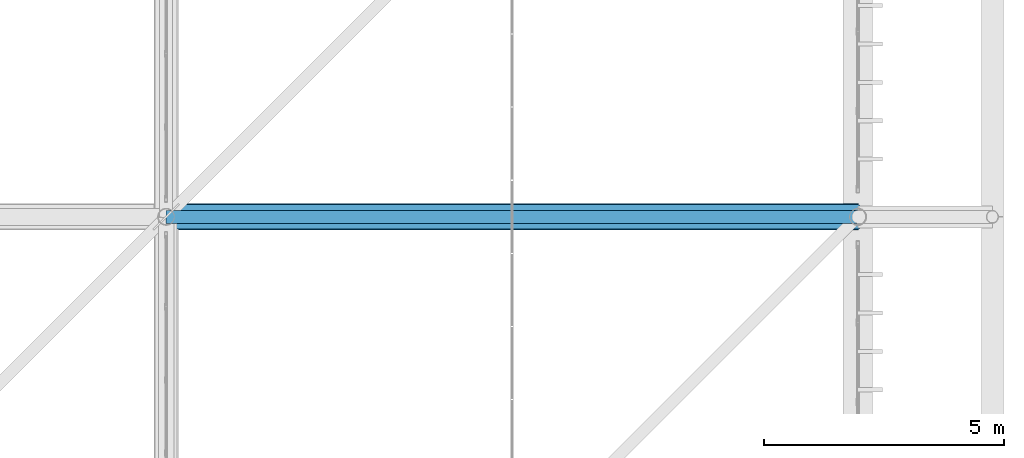
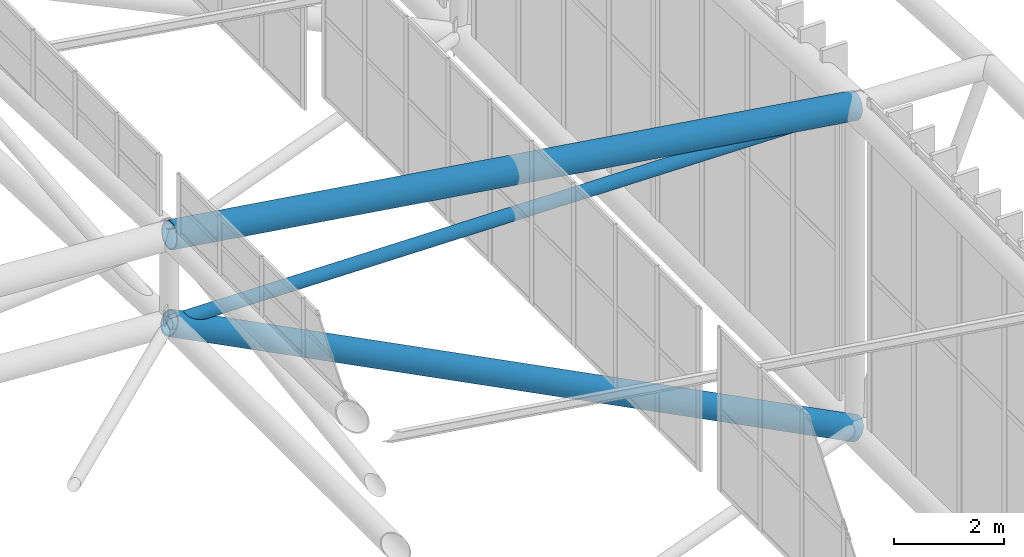
# One storey, part 275 of 397: 2 beams, 1 member.
"""IFC4 building model written with IfcOpenShell, lengths in metres."""

from ifc_helpers import new_model, si_unit, direction, frame, origin, origin_2d, place, context, subcontext, project, spatial, hollow_circle, extrude, material, material_profile, profile_set, type_object, element, save


model = new_model("IFC4")

# Units and contexts
model_context = context("Model", 3, precision=1e-05, world=origin(), true_north=direction((0.0, 1.0)))
body_context = subcontext(model_context, "Body", "Model", "MODEL_VIEW")
ifc_project = project(units=[si_unit("LENGTHUNIT", "METRE"), si_unit("AREAUNIT", "SQUARE_METRE"), si_unit("VOLUMEUNIT", "CUBIC_METRE"), si_unit("PLANEANGLEUNIT", "RADIAN"), si_unit("MASSUNIT", "GRAM", prefix="KILO")], contexts=[model_context])

# Site, building, storey
site_placement = place(None, origin())
site = spatial("IfcSite", under=ifc_project, at=site_placement, CompositionType="ELEMENT")
building_placement = place(site_placement, origin())
building = spatial("IfcBuilding", under=site, at=building_placement, Name="Qandorah Velis Arena", CompositionType="ELEMENT")
storey_placement = place(building_placement, frame((0.0, 0.0, 27.5)))
storey = spatial("IfcBuildingStorey", under=building, at=storey_placement, Name="RF", CompositionType="ELEMENT", Elevation=27.5)

# Beams
ifc_material = material(Name="Steel S355", Category="steel")
ifc_material_profile_1 = material_profile(ifc_material, hollow_circle(Radius=0.25390625, WallThickness=0.02490234375, at=origin_2d()), Name="CHS 508x25")
ifc_profile_set_1 = profile_set([ifc_material_profile_1], Name="Steel S355")
beam_type_1 = type_object("IfcBeamType", Name="STR-SFC-CHS508X25", PredefinedType="USERDEFINED", material=ifc_profile_set_1)
beam_1_placement = place(storey_placement, frame((100.800048828125, 72.0, 7.483154296875), z_axis=(0.889855314431, 0.0, -0.4562428294), x_axis=(0.0, 1.0, 0.0)))
element("IfcBeam", 1, at=beam_1_placement, inside=storey, type_object=beam_type_1, Name="Space frame roof truss bottom chord X 6.4", ObjectType="ROOF TRUSS", PredefinedType="USERDEFINED", context=body_context, shape_type="SweptSolid", body=[
    extrude(hollow_circle(Radius=0.25390625, WallThickness=0.02490234375, at=origin_2d()), origin(), (0.0, 0.0, 1.0), 16.182373046875),
])
ifc_material_profile_2 = material_profile(ifc_material, hollow_circle(Radius=0.279541015625, WallThickness=0.02490234375, at=origin_2d()), Name="CHS 559x25")
ifc_profile_set_2 = profile_set([ifc_material_profile_2], Name="Steel S355")
beam_type_2 = type_object("IfcBeamType", Name="STR-SFC-CHS559X25", PredefinedType="USERDEFINED", material=ifc_profile_set_2)
beam_2_placement = place(storey_placement, frame((100.800048828125, 72.0, 9.43310546875), z_axis=(0.98891001954, 0.0, -0.148515902361), x_axis=(0.0, 1.0, 0.0)))
element("IfcBeam", 2, at=beam_2_placement, inside=storey, type_object=beam_type_2, Name="Space frame roof truss top chord X 6.4", ObjectType="ROOF TRUSS", PredefinedType="USERDEFINED", context=body_context, shape_type="SweptSolid", body=[
    extrude(hollow_circle(Radius=0.279541015625, WallThickness=0.02490234375, at=origin_2d()), origin(), (0.0, 0.0, 1.0), 14.561279296875),
])

# Member
ifc_material_profile_3 = material_profile(ifc_material, hollow_circle(Radius=0.136474609375, WallThickness=0.012451171875, at=origin_2d()), Name="CHS 273x12.5")
ifc_profile_set_3 = profile_set([ifc_material_profile_3], Name="Steel S355")
member_type = type_object("IfcMemberType", Name="STR-SFD-CHS273X12", PredefinedType="STRUT", material=ifc_profile_set_3)
member_placement = place(storey_placement, frame((100.800048828125, 72.0, 7.483154296875), z_axis=(0.999890982479, 0.0, -0.014765607232), x_axis=(0.0, 1.0, 0.0)))
element("IfcMember", 3, at=member_placement, inside=storey, type_object=member_type, Name="Space frame roof diagonal X 6.4", PredefinedType="STRUT", context=body_context, shape_type="SweptSolid", body=[
    extrude(hollow_circle(Radius=0.136474609375, WallThickness=0.012451171875, at=origin_2d()), origin(), (0.0, 0.0, 1.0), 14.4013671875),
])

save(model, "model.ifc")
